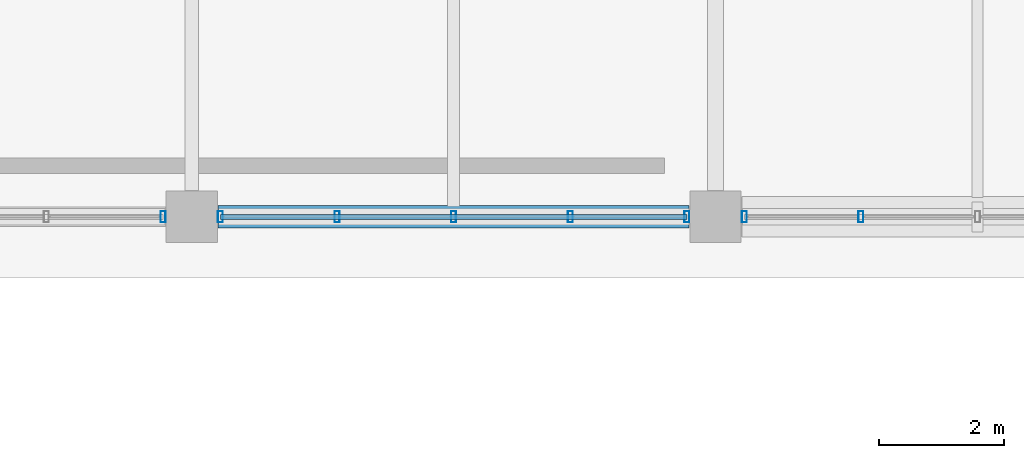
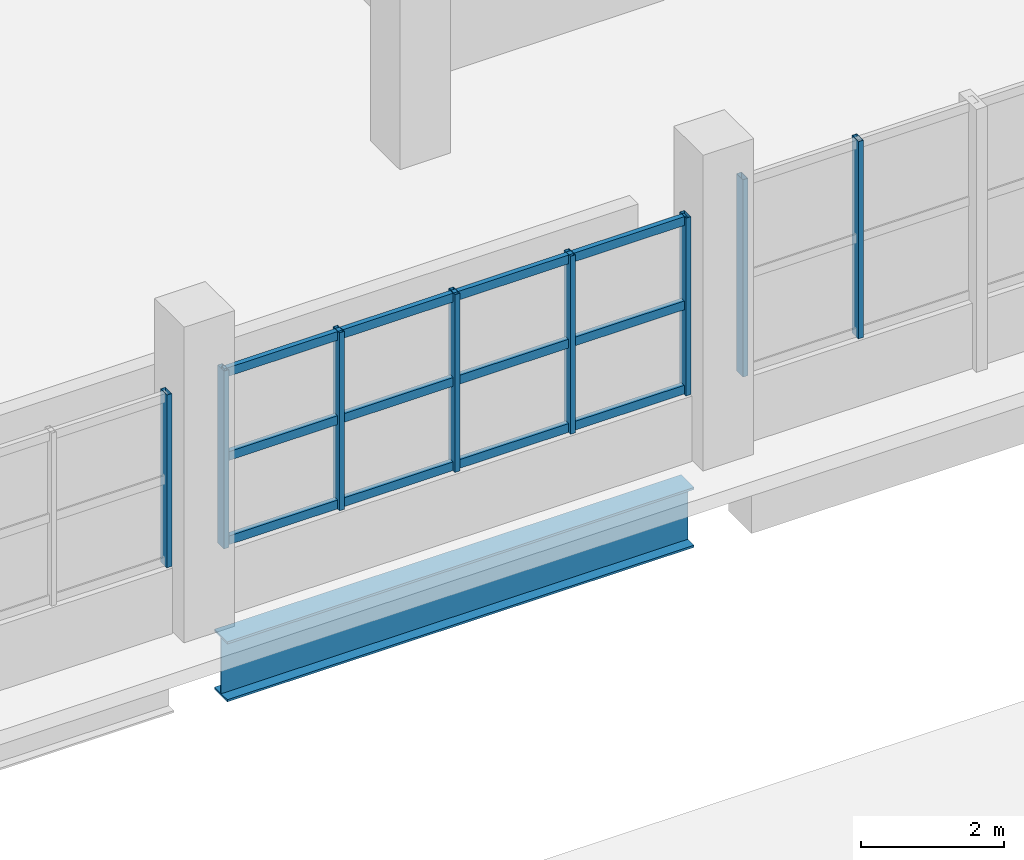
# One storey, part 33 of 107: 11 members, 1 beam, 3 elements without a shape of their own.
"""IFC4 building model written with IfcOpenShell, lengths in metres."""

import ifcopenshell
import ifcopenshell.guid

model = None  # the IFC model being written
_history = None  # IfcOwnerHistory: only IFC2X3 demands one
_inside = {}  # id of a spatial element -> (the spatial element, [elements in it])
_under = {}  # id of a project, library or spatial element -> (it, [spatial elements below it])
_declared = {}  # id of a project -> (the project, [libraries it declares])
_typed = {}  # id of a type object -> (the type object, [elements of that type])
_made_of = {}  # id of a material, layer set ... -> (it, [elements and type objects made of it])


def new_model(schema):
    """Start an empty IFC model of exactly this schema.

    Asked for "IFC4X3", IfcOpenShell would pick the latest addendum, in which some entities
    have other attributes; the version numbers below select the first issue.
    IFC2X3 requires an IfcOwnerHistory on every rooted entity: one is made here for all.
    """
    global model, _history
    if schema == "IFC4X3":
        model = ifcopenshell.file(schema_version=(4, 3, 0, 0))
    else:
        model = ifcopenshell.file(schema=schema)
    _inside.clear()
    _under.clear()
    _declared.clear()
    _typed.clear()
    _made_of.clear()
    _history = None
    if model.schema == "IFC2X3":
        org = make("IfcOrganization", Name="unknown")
        user = make(
            "IfcPersonAndOrganization",
            ThePerson=make("IfcPerson", FamilyName="unknown"),
            TheOrganization=org,
        )
        app = make(
            "IfcApplication",
            ApplicationDeveloper=org,
            Version="unknown",
            ApplicationFullName="unknown",
            ApplicationIdentifier="unknown",
        )
        _history = make(
            "IfcOwnerHistory",
            OwningUser=user,
            OwningApplication=app,
            ChangeAction="ADDED",
            CreationDate=0,
        )
    return model


def make(cls, **values):
    """One entity of the class cls with the attributes given. An attribute that is None is left unset."""
    return model.create_entity(
        cls, **{name: value for name, value in values.items() if value is not None}
    )


def rooted(cls, **values):
    """An entity with a GlobalId (a new one), such as an element, a storey or a relation."""
    return make(cls, GlobalId=ifcopenshell.guid.new(), OwnerHistory=_history, **values)


def si_unit(unit_type, name, prefix=None):
    """IfcSIUnit, for example si_unit("LENGTHUNIT", "METRE", prefix="MILLI")."""
    return make("IfcSIUnit", UnitType=unit_type, Prefix=prefix, Name=name)


def assignment(units):
    """IfcUnitAssignment: the units of a project."""
    return None if units is None else make("IfcUnitAssignment", Units=units)


def point(xyz):
    """IfcCartesianPoint."""
    return None if xyz is None else make("IfcCartesianPoint", Coordinates=xyz)


def direction(xyz):
    """IfcDirection."""
    return None if xyz is None else make("IfcDirection", DirectionRatios=xyz)


def frame(location, z_axis=None, x_axis=None):
    """IfcAxis2Placement3D, a coordinate frame: its origin and axes. An axis left out is left unset."""
    return make(
        "IfcAxis2Placement3D",
        Location=point(location),
        Axis=direction(z_axis),
        RefDirection=direction(x_axis),
    )


def frame_2d(location, x_axis=None):
    """IfcAxis2Placement2D, a coordinate frame in the plane: its origin and x axis."""
    return make(
        "IfcAxis2Placement2D", Location=point(location), RefDirection=direction(x_axis)
    )


def origin():
    """The frame at (0, 0, 0) with its axes left unset."""
    return frame((0.0, 0.0, 0.0))


def origin_2d():
    """The frame at (0, 0) in the plane with its x axis left unset."""
    return frame_2d((0.0, 0.0))


def place(relative_to, where):
    """IfcLocalPlacement: puts the frame where relative to a parent placement (None: the world)."""
    return make(
        "IfcLocalPlacement", PlacementRelTo=relative_to, RelativePlacement=where
    )


def context(
    kind, dimensions, precision=None, world=None, true_north=None, identifier=None
):
    """IfcGeometricRepresentationContext, for example the 3D "Model" context."""
    return make(
        "IfcGeometricRepresentationContext",
        ContextIdentifier=identifier,
        ContextType=kind,
        CoordinateSpaceDimension=dimensions,
        Precision=precision,
        WorldCoordinateSystem=world,
        TrueNorth=true_north,
    )


def subcontext(parent, identifier, kind, view, scale=None):
    """IfcGeometricRepresentationSubContext, for example "Body" below "Model"."""
    return make(
        "IfcGeometricRepresentationSubContext",
        ContextIdentifier=identifier,
        ContextType=kind,
        ParentContext=parent,
        TargetScale=scale,
        TargetView=view,
    )


def project(units=None, contexts=None):
    """IfcProject with its units and contexts."""
    return rooted(
        "IfcProject",
        Name="project",
        RepresentationContexts=contexts,
        UnitsInContext=assignment(units),
    )


def spatial(cls, under=None, at=None, **own):
    """A site, building, storey or space (cls), placed at a placement, below another one or the project."""
    s = rooted(cls, ObjectPlacement=at, **own)
    if under is not None:
        _under.setdefault(under.id(), (under, []))[1].append(s)
    return s


def profile(cls, at=None, kind="AREA", **sizes):
    """A parametric profile (cls). Its sizes go by their IFC names, for example OverallWidth=200.0."""
    return make(cls, ProfileType=kind, Position=at, **sizes)


def hollow_rectangle(**sizes):
    """IfcRectangleHollowProfileDef."""
    return profile("IfcRectangleHollowProfileDef", **sizes)


def i_section(**sizes):
    """IfcIShapeProfileDef."""
    return profile("IfcIShapeProfileDef", **sizes)


def extrude(swept, where, along, depth):
    """IfcExtrudedAreaSolid: the profile swept, set in the frame where, extruded along a direction by depth."""
    return make(
        "IfcExtrudedAreaSolid",
        SweptArea=swept,
        Position=where,
        ExtrudedDirection=direction(along),
        Depth=depth,
    )


def shape(context_of_items, identifier, shape_type, items):
    """IfcShapeRepresentation: the items that make up one representation, for example the "Body"."""
    return make(
        "IfcShapeRepresentation",
        ContextOfItems=context_of_items,
        RepresentationIdentifier=identifier,
        RepresentationType=shape_type,
        Items=items,
    )


def material(Name=None, Category=None):
    """IfcMaterial."""
    return make("IfcMaterial", Name=Name, Category=Category)


def material_profile(
    of_material, cross_section, Name=None, Category=None, Priority=None
):
    """IfcMaterialProfile: a cross section and its material."""
    return make(
        "IfcMaterialProfile",
        Name=Name,
        Material=of_material,
        Profile=cross_section,
        Priority=Priority,
        Category=Category,
    )


def profile_set(profiles, Name=None, composite=None):
    """IfcMaterialProfileSet."""
    return make(
        "IfcMaterialProfileSet",
        Name=Name,
        MaterialProfiles=profiles,
        CompositeProfile=composite,
    )


def made_of(thing, what):
    """Note that an element or type object is made of a material, layer set ...; save() writes the relation."""
    if what is not None:
        _made_of.setdefault(what.id(), (what, []))[1].append(thing)
    return thing


def type_object(cls, material=None, **own):
    """A type object (cls), such as IfcWallType, which elements share."""
    return made_of(rooted(cls, **own), material)


def element(
    cls,
    number,
    at=None,
    inside=None,
    cuts=None,
    type_object=None,
    material=None,
    context=None,
    identifier="Body",
    shape_type=None,
    held_by="IfcProductDefinitionShape",
    body=None,
    shapes=None,
    **own,
):
    """One element of the class cls, such as IfcWall. Its Tag is "e" and its number.

    at: its placement. inside: the storey or other place that contains it. cuts: it is an
    opening in that element (IfcRelVoidsElement). A single representation is given by context,
    identifier, shape_type and body (its items); several are given by shapes. held_by: the class
    of the entity that holds the representations. save() writes the other relations.
    """
    e = rooted(cls, Tag="e%d" % number, ObjectPlacement=at, **own)
    if body is not None:
        shapes = [shape(context, identifier, shape_type, body)]
    if shapes is not None:
        e.Representation = make(held_by, Representations=shapes)
    if inside is not None:
        _inside.setdefault(inside.id(), (inside, []))[1].append(e)
    if cuts is not None:
        rooted(
            "IfcRelVoidsElement", RelatingBuildingElement=cuts, RelatedOpeningElement=e
        )
    if type_object is not None:
        _typed.setdefault(type_object.id(), (type_object, []))[1].append(e)
    return made_of(e, material)


def aggregate(whole, parts):
    """IfcRelAggregates: a whole, such as a stair, and the parts it consists of."""
    return rooted("IfcRelAggregates", RelatingObject=whole, RelatedObjects=parts)


def save(model, path):
    """Write the relations noted so far, then the file.

    IfcRelAggregates (storeys below a building ...), IfcRelContainedInSpatialStructure (elements
    in a storey), IfcRelDefinesByType, IfcRelAssociatesMaterial and IfcRelDeclares: one each for
    every whole, place, type object, material and project.
    """
    for whole, parts in _under.values():
        aggregate(whole, parts)
    for where, things in _inside.values():
        rooted(
            "IfcRelContainedInSpatialStructure",
            RelatedElements=things,
            RelatingStructure=where,
        )
    for kind, things in _typed.values():
        rooted("IfcRelDefinesByType", RelatedObjects=things, RelatingType=kind)
    for what, things in _made_of.values():
        rooted("IfcRelAssociatesMaterial", RelatedObjects=things, RelatingMaterial=what)
    for by, libraries in _declared.values():
        rooted("IfcRelDeclares", RelatingContext=by, RelatedDefinitions=libraries)
    model.write(path)


model = new_model("IFC4")

# Units and contexts
model_context = context("Model", 3, precision=1e-05, world=origin(), true_north=direction((0.0, 1.0)))
body_context = subcontext(model_context, "Body", "Model", "MODEL_VIEW")
ifc_project = project(units=[si_unit("LENGTHUNIT", "METRE"), si_unit("AREAUNIT", "SQUARE_METRE"), si_unit("VOLUMEUNIT", "CUBIC_METRE"), si_unit("PLANEANGLEUNIT", "RADIAN"), si_unit("MASSUNIT", "GRAM", prefix="KILO")], contexts=[model_context])

# Site, building, storey
site_placement = place(None, origin())
site = spatial("IfcSite", under=ifc_project, at=site_placement, CompositionType="ELEMENT")
building_placement = place(site_placement, origin())
building = spatial("IfcBuilding", under=site, at=building_placement, Name="Solvento Point Concert Hall", CompositionType="ELEMENT")
storey_placement = place(building_placement, origin())
storey = spatial("IfcBuildingStorey", under=building, at=storey_placement, Name="L00", CompositionType="ELEMENT", Elevation=0.0)

# Beam
ifc_material_1 = material(Name="Structural Steel ASTM A992 Grade 50", Category="steel")
ifc_material_profile_1 = material_profile(ifc_material_1, i_section(OverallWidth=0.361083984375, OverallDepth=1.02587890625, WebThickness=0.01904296875, FlangeThickness=0.0361328125, at=origin_2d()), Name="W40X249")
ifc_profile_set_1 = profile_set([ifc_material_profile_1], Name="Structural Steel ASTM A992 Grade 50")
beam_type = type_object("IfcBeamType", Name="Girder_W40X249", PredefinedType="USERDEFINED", material=ifc_profile_set_1)
beam_placement = place(storey_placement, frame((49.6240234375, 119.0, -0.927001953125), z_axis=(1.0, 0.0, 0.0), x_axis=(0.0, 1.0, 0.0)))
element("IfcBeam", 1, at=beam_placement, inside=storey, type_object=beam_type, Name="Primary girder B-29 L00", ObjectType="GIRDER", PredefinedType="USERDEFINED", context=body_context, shape_type="SweptSolid", body=[
    extrude(i_section(OverallWidth=0.361083984375, OverallDepth=1.02587890625, WebThickness=0.01904296875, FlangeThickness=0.0361328125, at=origin_2d()), origin(), (0.0, 0.0, 1.0), 7.552001953125),
])

# Curtain wall, member
ifc_material_2 = material(Name="Anodized Bronze Aluminium", Category="aluminium")
curtain_wall_type = type_object("IfcCurtainWallType", Name="CurtainWall_CourtPilotis", PredefinedType="USERDEFINED", material=ifc_material_2)
curtain_wall_1_placement = place(storey_placement, origin())
curtain_wall_1 = element("IfcCurtainWall", 2, at=curtain_wall_1_placement, inside=storey, type_object=curtain_wall_type, Name="Unitised curtain wall CW-96 UCW-L00-024", ObjectType="UNITISED CURTAIN WALL", PredefinedType="USERDEFINED")
ifc_material_3 = material(Name="Anodized Bronze Aluminium", Category="aluminium")
ifc_material_profile_2 = material_profile(ifc_material_3, hollow_rectangle(XDim=0.080078125, YDim=0.179931640625, WallThickness=0.00390625, at=origin_2d()), Name="CW-MUL-80X180")
ifc_profile_set_2 = profile_set([ifc_material_profile_2], Name="Anodized Bronze Aluminium")
member_type_1 = type_object("IfcMemberType", Name="Mullion_80x180", PredefinedType="MULLION", material=ifc_profile_set_2)
member_1_placement = place(storey_placement, frame((48.739990234375, 119.0, 1.1201171875), z_axis=(0.0, 0.0, 1.0), x_axis=(1.0, 0.0, 0.0)))
member_1 = element("IfcMember", 3, at=member_1_placement, type_object=member_type_1, Name="Curtain wall mullion ML-01", PredefinedType="MULLION", context=body_context, shape_type="SweptSolid", body=[
    extrude(hollow_rectangle(XDim=0.080078125, YDim=0.179931640625, WallThickness=0.00390625, at=origin_2d()), origin(), (0.0, 0.0, 1.0), 2.957763671875),
])
aggregate(curtain_wall_1, [member_1])

# Curtain wall, members
curtain_wall_2_placement = place(storey_placement, origin())
curtain_wall_2 = element("IfcCurtainWall", 4, at=curtain_wall_2_placement, inside=storey, type_object=curtain_wall_type, Name="Unitised curtain wall CW-96 UCW-L00-025", ObjectType="UNITISED CURTAIN WALL", PredefinedType="USERDEFINED")
member_2_placement = place(storey_placement, frame((49.659912109375, 119.0, 1.1201171875), z_axis=(0.0, 0.0, 1.0), x_axis=(1.0, 0.0, 0.0)))
member_2 = element("IfcMember", 5, at=member_2_placement, type_object=member_type_1, Name="Curtain wall mullion ML-01", PredefinedType="MULLION", context=body_context, shape_type="SweptSolid", body=[
    extrude(hollow_rectangle(XDim=0.080078125, YDim=0.179931640625, WallThickness=0.00390625, at=origin_2d()), origin(), (0.0, 0.0, 1.0), 3.0439453125),
])
member_3_placement = place(storey_placement, frame((51.530029296875, 119.0, 1.1201171875), z_axis=(0.0, 0.0, 1.0), x_axis=(1.0, 0.0, 0.0)))
member_3 = element("IfcMember", 6, at=member_3_placement, type_object=member_type_1, Name="Curtain wall mullion ML-01", PredefinedType="MULLION", context=body_context, shape_type="SweptSolid", body=[
    extrude(hollow_rectangle(XDim=0.080078125, YDim=0.179931640625, WallThickness=0.00390625, at=origin_2d()), origin(), (0.0, 0.0, 1.0), 3.0439453125),
])
member_4_placement = place(storey_placement, frame((53.39990234375, 119.0, 1.1201171875), z_axis=(0.0, 0.0, 1.0), x_axis=(1.0, 0.0, 0.0)))
member_4 = element("IfcMember", 7, at=member_4_placement, type_object=member_type_1, Name="Curtain wall mullion ML-01", PredefinedType="MULLION", context=body_context, shape_type="SweptSolid", body=[
    extrude(hollow_rectangle(XDim=0.080078125, YDim=0.179931640625, WallThickness=0.00390625, at=origin_2d()), origin(), (0.0, 0.0, 1.0), 3.0439453125),
])
member_5_placement = place(storey_placement, frame((55.27001953125, 119.0, 1.1201171875), z_axis=(0.0, 0.0, 1.0), x_axis=(1.0, 0.0, 0.0)))
member_5 = element("IfcMember", 8, at=member_5_placement, type_object=member_type_1, Name="Curtain wall mullion ML-01", PredefinedType="MULLION", context=body_context, shape_type="SweptSolid", body=[
    extrude(hollow_rectangle(XDim=0.080078125, YDim=0.179931640625, WallThickness=0.00390625, at=origin_2d()), origin(), (0.0, 0.0, 1.0), 3.0439453125),
])
member_6_placement = place(storey_placement, frame((57.139892578125, 119.0, 1.1201171875), z_axis=(0.0, 0.0, 1.0), x_axis=(1.0, 0.0, 0.0)))
member_6 = element("IfcMember", 9, at=member_6_placement, type_object=member_type_1, Name="Curtain wall mullion ML-01", PredefinedType="MULLION", context=body_context, shape_type="SweptSolid", body=[
    extrude(hollow_rectangle(XDim=0.080078125, YDim=0.179931640625, WallThickness=0.00390625, at=origin_2d()), origin(), (0.0, 0.0, 1.0), 3.0439453125),
])

curtain_wall_3_placement = place(storey_placement, origin())
curtain_wall_3 = element("IfcCurtainWall", 10, at=curtain_wall_3_placement, inside=storey, type_object=curtain_wall_type, Name="Unitised curtain wall CW-96 UCW-L00-026", ObjectType="UNITISED CURTAIN WALL", PredefinedType="USERDEFINED")
member_7_placement = place(storey_placement, frame((58.06005859375, 119.0, 1.1201171875), z_axis=(0.0, 0.0, 1.0), x_axis=(1.0, 0.0, 0.0)))
member_7 = element("IfcMember", 11, at=member_7_placement, type_object=member_type_1, Name="Curtain wall mullion ML-01", PredefinedType="MULLION", context=body_context, shape_type="SweptSolid", body=[
    extrude(hollow_rectangle(XDim=0.080078125, YDim=0.179931640625, WallThickness=0.00390625, at=origin_2d()), origin(), (0.0, 0.0, 1.0), 3.3759765625),
])
member_8_placement = place(storey_placement, frame((59.929931640625, 119.0, 1.1201171875), z_axis=(0.0, 0.0, 1.0), x_axis=(1.0, 0.0, 0.0)))
member_8 = element("IfcMember", 12, at=member_8_placement, type_object=member_type_1, Name="Curtain wall mullion ML-01", PredefinedType="MULLION", context=body_context, shape_type="SweptSolid", body=[
    extrude(hollow_rectangle(XDim=0.080078125, YDim=0.179931640625, WallThickness=0.00390625, at=origin_2d()), origin(), (0.0, 0.0, 1.0), 3.3759765625),
])
aggregate(curtain_wall_3, [member_7, member_8])

# Member
ifc_material_4 = material(Name="Anodized Bronze Aluminium", Category="aluminium")
ifc_material_profile_3 = material_profile(ifc_material_4, hollow_rectangle(XDim=0.080078125, YDim=0.14990234375, WallThickness=0.00390625, at=origin_2d()), Name="CW-TRN-80X150")
ifc_profile_set_3 = profile_set([ifc_material_profile_3], Name="Anodized Bronze Aluminium")
member_type_2 = type_object("IfcMemberType", Name="Transom_80x150", PredefinedType="USERDEFINED", material=ifc_profile_set_3)
member_9_placement = place(storey_placement, frame((49.659912109375, 119.0, 1.199951171875), z_axis=(1.0, 0.0, 0.0), x_axis=(0.0, 1.0, 0.0)))
member_9 = element("IfcMember", 13, at=member_9_placement, type_object=member_type_2, Name="Curtain wall transom TR-01", ObjectType="TRANSOM", PredefinedType="USERDEFINED", context=body_context, shape_type="SweptSolid", body=[
    extrude(hollow_rectangle(XDim=0.080078125, YDim=0.14990234375, WallThickness=0.00390625, at=origin_2d()), origin(), (0.0, 0.0, 1.0), 7.47998046875),
])

member_10_placement = place(storey_placement, frame((49.659912109375, 119.0, 2.64208984375), z_axis=(1.0, 0.0, 0.0), x_axis=(0.0, 1.0, 0.0)))
member_10 = element("IfcMember", 14, at=member_10_placement, type_object=member_type_2, Name="Curtain wall transom TR-01", ObjectType="TRANSOM", PredefinedType="USERDEFINED", context=body_context, shape_type="SweptSolid", body=[
    extrude(hollow_rectangle(XDim=0.080078125, YDim=0.14990234375, WallThickness=0.00390625, at=origin_2d()), origin(), (0.0, 0.0, 1.0), 7.47998046875),
])

member_11_placement = place(storey_placement, frame((49.659912109375, 119.0, 4.083984375), z_axis=(1.0, 0.0, 0.0), x_axis=(0.0, 1.0, 0.0)))
member_11 = element("IfcMember", 15, at=member_11_placement, type_object=member_type_2, Name="Curtain wall transom TR-01", ObjectType="TRANSOM", PredefinedType="USERDEFINED", context=body_context, shape_type="SweptSolid", body=[
    extrude(hollow_rectangle(XDim=0.080078125, YDim=0.14990234375, WallThickness=0.00390625, at=origin_2d()), origin(), (0.0, 0.0, 1.0), 7.47998046875),
])

aggregate(curtain_wall_2, [member_2, member_3, member_4, member_5, member_6, member_9, member_10, member_11])

save(model, "model.ifc")
